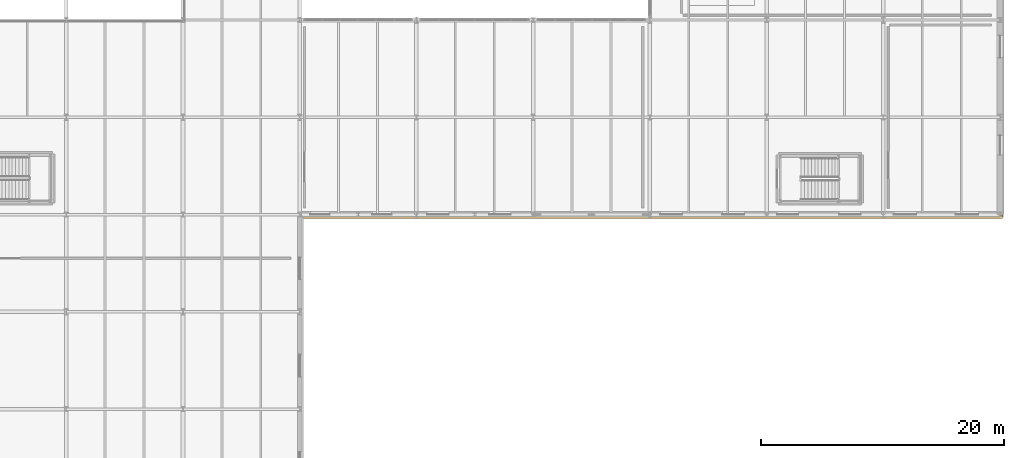
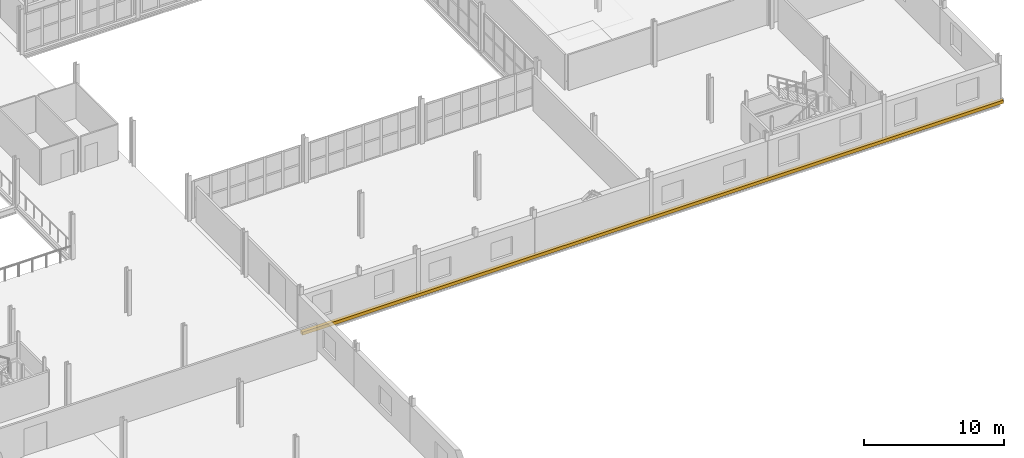
# One storey, part 76 of 78: 1 covering.
"""IFC4 building model written with IfcOpenShell, lengths in metres."""

from ifc_helpers import new_model, si_unit, direction, frame, frame_2d, origin, place, context, subcontext, project, spatial, rectangle, extrude, material, layer, layer_set, type_object, element, save


model = new_model("IFC4")

# Units and contexts
model_context = context("Model", 3, precision=1e-05, world=origin(), true_north=direction((0.0, 1.0)))
body_context = subcontext(model_context, "Body", "Model", "MODEL_VIEW")
ifc_project = project(units=[si_unit("LENGTHUNIT", "METRE"), si_unit("AREAUNIT", "SQUARE_METRE"), si_unit("VOLUMEUNIT", "CUBIC_METRE"), si_unit("PLANEANGLEUNIT", "RADIAN"), si_unit("MASSUNIT", "GRAM", prefix="KILO")], contexts=[model_context])

# Site, building, storey
site_placement = place(None, origin())
site = spatial("IfcSite", under=ifc_project, at=site_placement, CompositionType="ELEMENT")
building_placement = place(site_placement, origin())
building = spatial("IfcBuilding", under=site, at=building_placement, Name="Alderhovde Museum", CompositionType="ELEMENT")
storey_placement = place(building_placement, frame((0.0, 0.0, 4.5)))
storey = spatial("IfcBuildingStorey", under=building, at=storey_placement, Name="L01", CompositionType="ELEMENT", Elevation=4.5)

# Covering
ifc_material = material(Name="Carved Jura Limestone Classical Cornice Moulding", Category="masonry")
ifc_layer = layer(ifc_material, 0.280029296875)
ifc_layer_set = layer_set([ifc_layer], Name="Carved Jura Limestone Classical Cornice Moulding")
covering_type = type_object("IfcCoveringType", Name="COV-CORNICE-STONE", PredefinedType="MOLDING", material=ifc_layer_set)
covering_placement = place(storey_placement, frame((115.199951171875, 31.820068359375, -0.199951171875), z_axis=(0.0, 0.0, 1.0), x_axis=(1.0, 0.0, 0.0)))
element("IfcCovering", 1, at=covering_placement, inside=storey, type_object=covering_type, Name="L01 Classical Beaux-Arts Limestone Cornice 8", PredefinedType="MOLDING", context=body_context, shape_type="SweptSolid", body=[
    extrude(rectangle(XDim=57.800048828125, YDim=0.280029296875, at=frame_2d((28.89990234375, 0.0))), origin(), (0.0, 0.0, 1.0), 0.280029296875),
])

save(model, "model.ifc")
